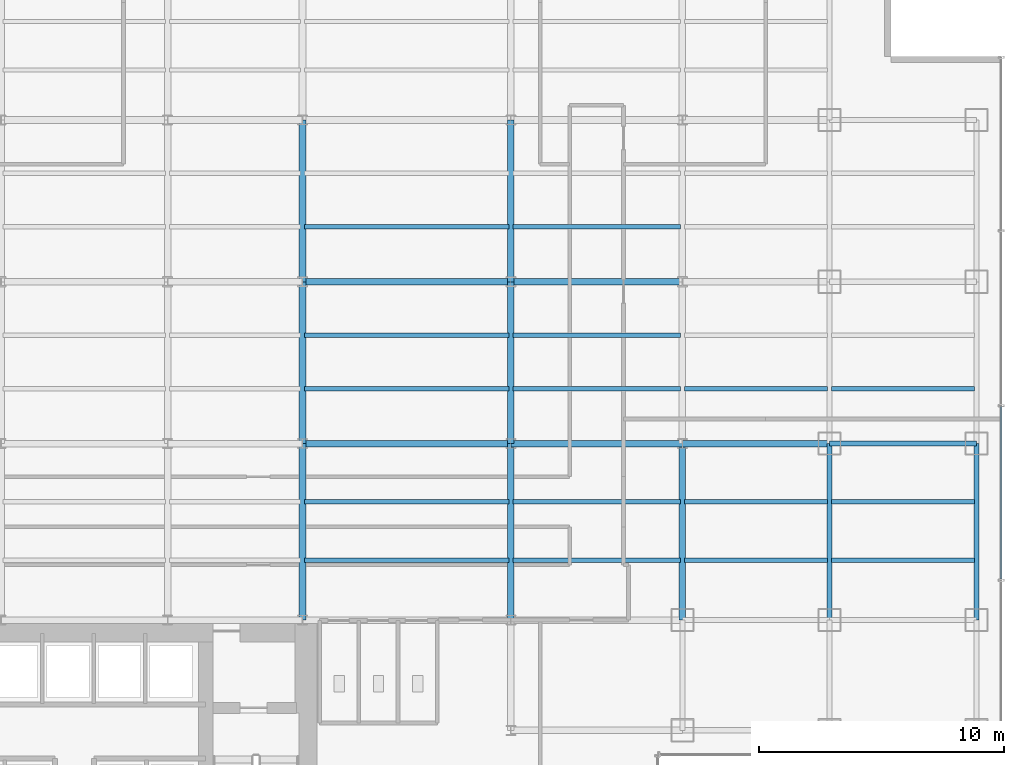
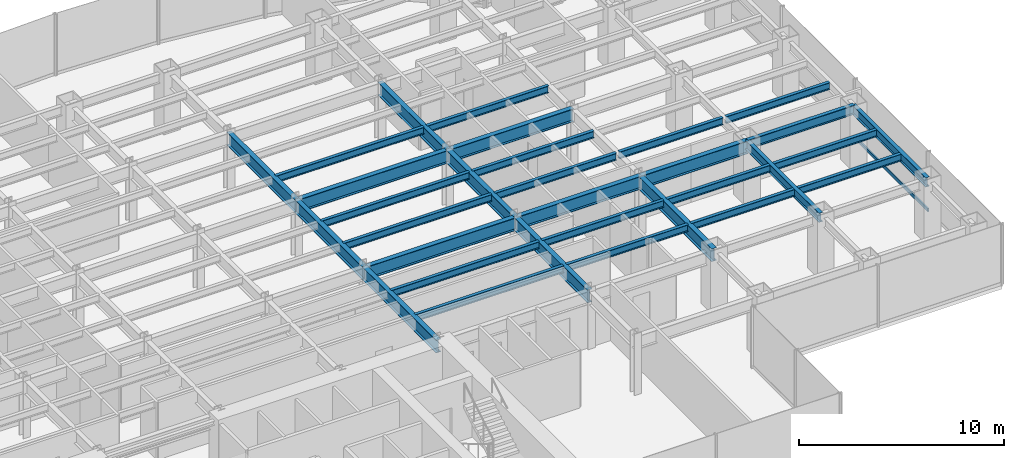
# One storey, part 8 of 22: 31 beams, 1 member, 1 element without a shape of its own.
"""IFC4 building model written with IfcOpenShell, lengths in metres."""

from ifc_helpers import new_model, si_unit, derived_unit, direction, frame, origin, origin_2d, place, context, subcontext, project, spatial, hollow_rectangle, i_section, extrude, source, transform, mapped, material, material_profile, profile_set, type_object, element, aggregate, save


model = new_model("IFC4")

# Units and contexts
model_context = context("Model", 3, precision=1e-05, world=origin(), true_north=direction((0.0, 1.0)))
body_context = subcontext(model_context, "Body", "Model", "MODEL_VIEW")
ifc_project = project(units=[si_unit("LENGTHUNIT", "METRE"), si_unit("AREAUNIT", "SQUARE_METRE"), si_unit("VOLUMEUNIT", "CUBIC_METRE"), si_unit("PLANEANGLEUNIT", "RADIAN"), si_unit("MASSUNIT", "GRAM", prefix="KILO"), derived_unit("THERMALTRANSMITTANCEUNIT", [(si_unit("POWERUNIT", "WATT"), 1), (si_unit("LENGTHUNIT", "METRE"), -2), (si_unit("THERMODYNAMICTEMPERATUREUNIT", "KELVIN"), -1)])], contexts=[model_context])

# Site, building, storey
site_placement = place(None, origin())
site = spatial("IfcSite", under=ifc_project, at=site_placement, CompositionType="ELEMENT")
building_placement = place(site_placement, origin())
building = spatial("IfcBuilding", under=site, at=building_placement, Name="Skarnbrae Concourse Arena and Tower", CompositionType="ELEMENT")
storey_placement = place(building_placement, frame((0.0, 0.0, 58.050048828125)))
storey = spatial("IfcBuildingStorey", under=building, at=storey_placement, Name="L13", CompositionType="ELEMENT", Elevation=58.050048828125)

# Beams
ifc_material_1 = material(Name="Steel CSA G40.21 350W", Category="steel")
ifc_material_profile_1 = material_profile(ifc_material_1, i_section(OverallWidth=0.26806640625, OverallDepth=0.77001953125, WebThickness=0.015625, FlangeThickness=0.025390625, at=origin_2d()), Name="W760X196")
ifc_profile_set_1 = profile_set([ifc_material_profile_1], Name="Steel CSA G40.21 350W")
beam_type_1 = type_object("IfcBeamType", Name="BM-GIRD-W760X196", PredefinedType="BEAM", material=ifc_profile_set_1)
shared_shape_1 = source(origin(), body_context, "Body", "SweptSolid", [
    extrude(i_section(OverallWidth=0.26806640625, OverallDepth=0.77001953125, WebThickness=0.015625, FlangeThickness=0.025390625, at=origin_2d()), origin(), (0.0, 0.0, 1.0), 7.0),
])
for number, where, z_axis, x_axis, name in (
    (1, (42.0, 21.199951171875, 3.014892578125), (1.0, 0.0, 0.0), (0.0, 1.0, 0.0), "L13 Primary E-W girder Y21.2-7"),
    (2, (42.0, 27.800048828125, 3.014892578125), (1.0, 0.0, 0.0), (0.0, 1.0, 0.0), "L13 Primary E-W girder Y27.8-7"),
):
    element("IfcBeam", number, at=place(storey_placement, frame(where, z_axis=z_axis, x_axis=x_axis)), inside=storey, type_object=beam_type_1, Name=name, PredefinedType="BEAM", context=body_context, shape_type="MappedRepresentation", body=[
        mapped(shared_shape_1, transform((0.0, 0.0, 0.0))),
    ])
ifc_material_profile_2 = material_profile(ifc_material_1, i_section(OverallWidth=0.214111328125, OverallDepth=0.549072265625, WebThickness=0.0146484375, FlangeThickness=0.023681640625, at=origin_2d()), Name="W530X138")
ifc_profile_set_2 = profile_set([ifc_material_profile_2], Name="Steel CSA G40.21 350W")
beam_type_2 = type_object("IfcBeamType", Name="BM-SPAN-W530X138", PredefinedType="SPANDREL", material=ifc_profile_set_2)
shared_shape_2 = source(origin(), body_context, "Body", "SweptSolid", [
    extrude(i_section(OverallWidth=0.214111328125, OverallDepth=0.549072265625, WebThickness=0.0146484375, FlangeThickness=0.023681640625, at=origin_2d()), origin(), (0.0, 0.0, 1.0), 6.0),
])
beam_1_placement = place(storey_placement, frame((55.0, 21.199951171875, 3.12548828125), z_axis=(1.0, 0.0, 0.0), x_axis=(0.0, 1.0, 0.0)))
element("IfcBeam", 3, at=beam_1_placement, inside=storey, type_object=beam_type_2, Name="L13 Perimeter spandrel Y21.2-9", PredefinedType="SPANDREL", context=body_context, shape_type="MappedRepresentation", body=[
    mapped(shared_shape_2, transform((0.0, 0.0, 0.0))),
])
shared_shape_3 = source(origin(), body_context, "Body", "SweptSolid", [
    extrude(i_section(OverallWidth=0.26806640625, OverallDepth=0.77001953125, WebThickness=0.015625, FlangeThickness=0.025390625, at=origin_2d()), origin(), (0.0, 0.0, 1.0), 6.60009765625),
])
for number, where, z_axis, x_axis, name in (
    (4, (33.5, 21.199951171875, 3.014892578125), (0.0, 1.0, 0.0), (-1.0, 0.0, 0.0), "L13 Primary N-S girder X33.5-2"),
    (5, (42.0, 21.199951171875, 3.014892578125), (0.0, 1.0, 0.0), (-1.0, 0.0, 0.0), "L13 Primary N-S girder X42.0-3"),
):
    element("IfcBeam", number, at=place(storey_placement, frame(where, z_axis=z_axis, x_axis=x_axis)), inside=storey, type_object=beam_type_1, Name=name, PredefinedType="BEAM", context=body_context, shape_type="MappedRepresentation", body=[
        mapped(shared_shape_3, transform((0.0, 0.0, 0.0))),
    ])
shared_shape_4 = source(origin(), body_context, "Body", "SweptSolid", [
    extrude(i_section(OverallWidth=0.26806640625, OverallDepth=0.77001953125, WebThickness=0.015625, FlangeThickness=0.025390625, at=origin_2d()), origin(), (0.0, 0.0, 1.0), 8.5),
])
for number, where, z_axis, x_axis, name in (
    (6, (33.5, 21.199951171875, 3.014892578125), (1.0, 0.0, 0.0), (0.0, 1.0, 0.0), "L13 Primary E-W girder Y21.2-6"),
    (7, (33.5, 27.800048828125, 3.014892578125), (1.0, 0.0, 0.0), (0.0, 1.0, 0.0), "L13 Primary E-W girder Y27.8-6"),
):
    element("IfcBeam", number, at=place(storey_placement, frame(where, z_axis=z_axis, x_axis=x_axis)), inside=storey, type_object=beam_type_1, Name=name, PredefinedType="BEAM", context=body_context, shape_type="MappedRepresentation", body=[
        mapped(shared_shape_4, transform((0.0, 0.0, 0.0))),
    ])
shared_shape_5 = source(origin(), body_context, "Body", "SweptSolid", [
    extrude(i_section(OverallWidth=0.26806640625, OverallDepth=0.77001953125, WebThickness=0.015625, FlangeThickness=0.025390625, at=origin_2d()), origin(), (0.0, 0.0, 1.0), 6.0),
])
beam_2_placement = place(storey_placement, frame((49.0, 21.199951171875, 3.014892578125), z_axis=(1.0, 0.0, 0.0), x_axis=(0.0, 1.0, 0.0)))
element("IfcBeam", 8, at=beam_2_placement, inside=storey, type_object=beam_type_1, Name="L13 Primary E-W girder Y21.2-8", PredefinedType="BEAM", context=body_context, shape_type="MappedRepresentation", body=[
    mapped(shared_shape_5, transform((0.0, 0.0, 0.0))),
])
shared_shape_6 = source(origin(), body_context, "Body", "SweptSolid", [
    extrude(i_section(OverallWidth=0.214111328125, OverallDepth=0.549072265625, WebThickness=0.0146484375, FlangeThickness=0.023681640625, at=origin_2d()), origin(), (0.0, 0.0, 1.0), 7.199951171875),
])
for number, where, z_axis, x_axis, name in (
    (9, (55.0, 14.0, 3.12548828125), (0.0, 1.0, 0.0), (-1.0, 0.0, 0.0), "L13 Perimeter spandrel X55.0-2"),
    (10, (61.0, 14.0, 3.12548828125), (0.0, 1.0, 0.0), (-1.0, 0.0, 0.0), "L13 Perimeter spandrel X61.0-2"),
):
    element("IfcBeam", number, at=place(storey_placement, frame(where, z_axis=z_axis, x_axis=x_axis)), inside=storey, type_object=beam_type_2, Name=name, PredefinedType="SPANDREL", context=body_context, shape_type="MappedRepresentation", body=[
        mapped(shared_shape_6, transform((0.0, 0.0, 0.0))),
    ])
shared_shape_7 = source(origin(), body_context, "Body", "SweptSolid", [
    extrude(i_section(OverallWidth=0.26806640625, OverallDepth=0.77001953125, WebThickness=0.015625, FlangeThickness=0.025390625, at=origin_2d()), origin(), (0.0, 0.0, 1.0), 7.199951171875),
])
for number, where, z_axis, x_axis, name in (
    (11, (33.5, 14.0, 3.014892578125), (0.0, 1.0, 0.0), (-1.0, 0.0, 0.0), "L13 Primary N-S girder X33.5-1"),
    (12, (42.0, 14.0, 3.014892578125), (0.0, 1.0, 0.0), (-1.0, 0.0, 0.0), "L13 Primary N-S girder X42.0-2"),
    (13, (49.0, 14.0, 3.014892578125), (0.0, 1.0, 0.0), (-1.0, 0.0, 0.0), "L13 Primary N-S girder X49.0-2"),
):
    element("IfcBeam", number, at=place(storey_placement, frame(where, z_axis=z_axis, x_axis=x_axis)), inside=storey, type_object=beam_type_1, Name=name, PredefinedType="BEAM", context=body_context, shape_type="MappedRepresentation", body=[
        mapped(shared_shape_7, transform((0.0, 0.0, 0.0))),
    ])
shared_shape_8 = source(origin(), body_context, "Body", "SweptSolid", [
    extrude(i_section(OverallWidth=0.26806640625, OverallDepth=0.77001953125, WebThickness=0.015625, FlangeThickness=0.025390625, at=origin_2d()), origin(), (0.0, 0.0, 1.0), 6.599853515625),
])
for number, where, z_axis, x_axis, name in (
    (14, (33.5, 27.800048828125, 3.014892578125), (0.0, 1.0, 0.0), (-1.0, 0.0, 0.0), "L13 Primary N-S girder X33.5-3"),
    (15, (42.0, 27.800048828125, 3.014892578125), (0.0, 1.0, 0.0), (-1.0, 0.0, 0.0), "L13 Primary N-S girder X42.0-4"),
):
    element("IfcBeam", number, at=place(storey_placement, frame(where, z_axis=z_axis, x_axis=x_axis)), inside=storey, type_object=beam_type_1, Name=name, PredefinedType="BEAM", context=body_context, shape_type="MappedRepresentation", body=[
        mapped(shared_shape_8, transform((0.0, 0.0, 0.0))),
    ])
ifc_material_profile_3 = material_profile(ifc_material_1, i_section(OverallWidth=0.180908203125, OverallDepth=0.4169921875, WebThickness=0.010986328125, FlangeThickness=0.018310546875, at=origin_2d()), Name="W410X85")
ifc_profile_set_3 = profile_set([ifc_material_profile_3], Name="Steel CSA G40.21 350W")
beam_type_3 = type_object("IfcBeamType", Name="BM-JOIST-W410X85", PredefinedType="JOIST", material=ifc_profile_set_3)
shared_shape_9 = source(origin(), body_context, "Body", "SweptSolid", [
    extrude(i_section(OverallWidth=0.180908203125, OverallDepth=0.4169921875, WebThickness=0.010986328125, FlangeThickness=0.018310546875, at=origin_2d()), origin(), (0.0, 0.0, 1.0), 8.33984375),
])
for number, where, z_axis, x_axis, name in (
    (16, (33.580078125, 16.447998046875, 3.19140625), (1.0, 0.0, 0.0), (0.0, 1.0, 0.0), "L13 Secondary floor joist 1.1.6"),
    (17, (33.580078125, 18.823974609375, 3.19140625), (1.0, 0.0, 0.0), (0.0, 1.0, 0.0), "L13 Secondary floor joist 1.2.6"),
    (18, (33.580078125, 23.444091796875, 3.19140625), (1.0, 0.0, 0.0), (0.0, 1.0, 0.0), "L13 Secondary floor joist 2.1.6"),
    (19, (33.580078125, 25.6220703125, 3.19140625), (1.0, 0.0, 0.0), (0.0, 1.0, 0.0), "L13 Secondary floor joist 2.2.6"),
    (20, (33.580078125, 30.0439453125, 3.19140625), (1.0, 0.0, 0.0), (0.0, 1.0, 0.0), "L13 Secondary floor joist 3.1.6"),
):
    element("IfcBeam", number, at=place(storey_placement, frame(where, z_axis=z_axis, x_axis=x_axis)), inside=storey, type_object=beam_type_3, Name=name, PredefinedType="JOIST", context=body_context, shape_type="MappedRepresentation", body=[
        mapped(shared_shape_9, transform((0.0, 0.0, 0.0))),
    ])
shared_shape_10 = source(origin(), body_context, "Body", "SweptSolid", [
    extrude(i_section(OverallWidth=0.180908203125, OverallDepth=0.4169921875, WebThickness=0.010986328125, FlangeThickness=0.018310546875, at=origin_2d()), origin(), (0.0, 0.0, 1.0), 6.83984375),
])
for number, where, z_axis, x_axis, name in (
    (21, (42.080078125, 16.447998046875, 3.19140625), (1.0, 0.0, 0.0), (0.0, 1.0, 0.0), "L13 Secondary floor joist 1.1.7"),
    (22, (42.080078125, 18.823974609375, 3.19140625), (1.0, 0.0, 0.0), (0.0, 1.0, 0.0), "L13 Secondary floor joist 1.2.7"),
    (23, (42.080078125, 23.444091796875, 3.19140625), (1.0, 0.0, 0.0), (0.0, 1.0, 0.0), "L13 Secondary floor joist 2.1.7"),
    (24, (42.080078125, 25.6220703125, 3.19140625), (1.0, 0.0, 0.0), (0.0, 1.0, 0.0), "L13 Secondary floor joist 2.2.7"),
    (25, (42.080078125, 30.0439453125, 3.19140625), (1.0, 0.0, 0.0), (0.0, 1.0, 0.0), "L13 Secondary floor joist 3.1.7"),
):
    element("IfcBeam", number, at=place(storey_placement, frame(where, z_axis=z_axis, x_axis=x_axis)), inside=storey, type_object=beam_type_3, Name=name, PredefinedType="JOIST", context=body_context, shape_type="MappedRepresentation", body=[
        mapped(shared_shape_10, transform((0.0, 0.0, 0.0))),
    ])
shared_shape_11 = source(origin(), body_context, "Body", "SweptSolid", [
    extrude(i_section(OverallWidth=0.180908203125, OverallDepth=0.4169921875, WebThickness=0.010986328125, FlangeThickness=0.018310546875, at=origin_2d()), origin(), (0.0, 0.0, 1.0), 5.83984375),
])
for number, where, z_axis, x_axis, name in (
    (26, (49.080078125, 16.447998046875, 3.19140625), (1.0, 0.0, 0.0), (0.0, 1.0, 0.0), "L13 Secondary floor joist 1.1.8"),
    (27, (55.080078125, 16.447998046875, 3.19140625), (1.0, 0.0, 0.0), (0.0, 1.0, 0.0), "L13 Secondary floor joist 1.1.9"),
    (28, (49.080078125, 18.823974609375, 3.19140625), (1.0, 0.0, 0.0), (0.0, 1.0, 0.0), "L13 Secondary floor joist 1.2.8"),
    (29, (55.080078125, 18.823974609375, 3.19140625), (1.0, 0.0, 0.0), (0.0, 1.0, 0.0), "L13 Secondary floor joist 1.2.9"),
    (30, (49.080078125, 23.444091796875, 3.19140625), (1.0, 0.0, 0.0), (0.0, 1.0, 0.0), "L13 Secondary floor joist 2.1.8"),
    (31, (55.080078125, 23.444091796875, 3.19140625), (1.0, 0.0, 0.0), (0.0, 1.0, 0.0), "L13 Secondary floor joist 2.1.9"),
):
    element("IfcBeam", number, at=place(storey_placement, frame(where, z_axis=z_axis, x_axis=x_axis)), inside=storey, type_object=beam_type_3, Name=name, PredefinedType="JOIST", context=body_context, shape_type="MappedRepresentation", body=[
        mapped(shared_shape_11, transform((0.0, 0.0, 0.0))),
    ])

# Curtain wall, member
ifc_material_2 = material(Name="Bronze anodised aluminium 6063-T6", Category="aluminium")
curtain_wall_type = type_object("IfcCurtainWallType", Name="CW-SYS-02-LOWZONE", PredefinedType="USERDEFINED", material=ifc_material_2)
curtain_wall_placement = place(storey_placement, origin())
curtain_wall = element("IfcCurtainWall", 32, at=curtain_wall_placement, inside=storey, type_object=curtain_wall_type, Name="L13 Unitised curtain wall CW-L13-E04", ObjectType="UNITISED CURTAIN WALL", PredefinedType="USERDEFINED")
ifc_material_profile_4 = material_profile(ifc_material_2, hollow_rectangle(XDim=0.080078125, YDim=0.18994140625, WallThickness=0.0048828125, at=origin_2d()), Name="ALU-TRAN-80X190")
ifc_profile_set_4 = profile_set([ifc_material_profile_4], Name="Bronze anodised aluminium 6063-T6")
member_type = type_object("IfcMemberType", Name="CWT-CW-02", PredefinedType="USERDEFINED", material=ifc_profile_set_4)
shared_shape_12 = source(origin(), body_context, "Body", "SweptSolid", [
    extrude(hollow_rectangle(XDim=0.080078125, YDim=0.18994140625, WallThickness=0.0048828125, at=origin_2d()), origin(), (0.0, 0.0, 1.0), 7.044921875),
])
member_placement = place(storey_placement, frame((62.0, 15.6650390625, 0.094970703125), z_axis=(0.0, 1.0, 0.0), x_axis=(-1.0, 0.0, 0.0)))
member = element("IfcMember", 33, at=member_placement, type_object=member_type, Name="CW-L13-E04 Transom 2", ObjectType="TRANSOM", PredefinedType="USERDEFINED", context=body_context, shape_type="MappedRepresentation", body=[
    mapped(shared_shape_12, transform((0.0, 0.0, 0.0))),
])
aggregate(curtain_wall, [member])

save(model, "model.ifc")
